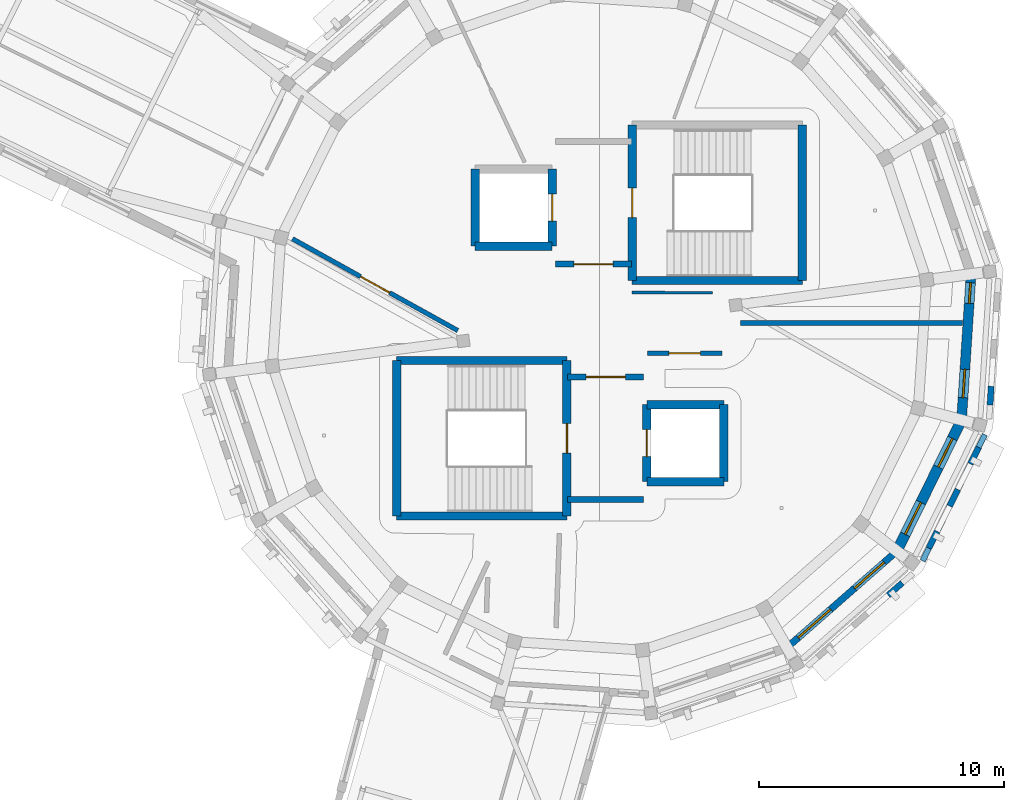
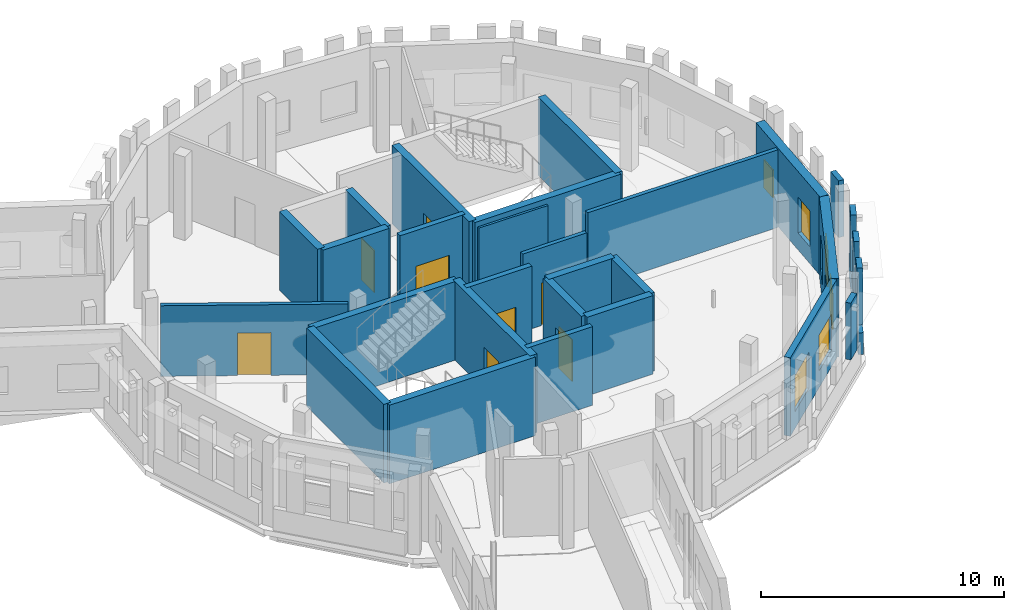
# One storey, part 69 of 90: 30 walls, 8 doors, 6 windows, 14 openings.
"""IFC4 building model written with IfcOpenShell, lengths in metres."""

from ifc_helpers import new_model, si_unit, direction, frame, frame_2d, origin, place, context, subcontext, project, spatial, rectangle, extrude, material, layer, layer_set, type_object, element, fill, save


model = new_model("IFC4")

# Units and contexts
model_context = context("Model", 3, precision=1e-05, world=origin(), true_north=direction((0.0, 1.0)))
body_context = subcontext(model_context, "Body", "Model", "MODEL_VIEW")
ifc_project = project(units=[si_unit("LENGTHUNIT", "METRE"), si_unit("AREAUNIT", "SQUARE_METRE"), si_unit("VOLUMEUNIT", "CUBIC_METRE"), si_unit("PLANEANGLEUNIT", "RADIAN"), si_unit("MASSUNIT", "GRAM", prefix="KILO")], contexts=[model_context])

# Site, building, storey
site_placement = place(None, origin())
site = spatial("IfcSite", under=ifc_project, at=site_placement, CompositionType="ELEMENT")
building_placement = place(site_placement, origin())
building = spatial("IfcBuilding", under=site, at=building_placement, Name="Wrenclough Park School", CompositionType="ELEMENT")
storey_placement = place(building_placement, frame((0.0, 0.0, 8.39990234375)))
storey = spatial("IfcBuildingStorey", under=building, at=storey_placement, Name="L02", CompositionType="ELEMENT", Elevation=8.39990234375)

# Walls
ifc_material_1 = material(Name="Perforated open-bond Staffordshire and Manchester brick screen pier", Category="masonry")
ifc_layer_1 = layer(ifc_material_1, 0.2451171875)
ifc_layer_set_1 = layer_set([ifc_layer_1], Name="Perforated open-bond Staffordshire and Manchester brick screen pier")
wall_type_1 = type_object("IfcWallType", Name="ENV-BS-PR245", PredefinedType="ELEMENTEDWALL", material=ifc_layer_set_1)
wall_1_placement = place(storey_placement, frame((186.2666015625, 82.403564453125, 1.090087890625), z_axis=(0.0, 0.0, 1.0), x_axis=(0.751840109951, 0.659345470196, 0.0)))
element("IfcWall", 1, at=wall_1_placement, inside=storey, type_object=wall_type_1, Name="D5 L02 perforated brick screen pier 0616", PredefinedType="ELEMENTEDWALL", context=body_context, shape_type="SweptSolid", body=[
    extrude(rectangle(XDim=0.76025390625, YDim=0.2451171875, at=frame_2d((0.380126953125, 0.0))), origin(), (0.0, 0.0, 1.0), 2.85009765625),
])
for number, where, z_axis, x_axis, name in (
    (2, (187.92724609375, 84.32373046875, 1.090087890625), (0.0, 0.0, 1.0), (0.442324339485, 0.896855160379, 0.0), "D5 L02 perforated brick screen pier 0617"),
    (3, (188.7724609375, 86.03759765625, 1.090087890625), (0.0, 0.0, 1.0), (0.442324339485, 0.896855160379, 0.0), "D5 L02 perforated brick screen pier 0618"),
    (4, (189.61767578125, 87.75146484375, 1.090087890625), (0.0, 0.0, 1.0), (0.442324339485, 0.896855160379, 0.0), "D5 L02 perforated brick screen pier 0619"),
    (5, (190.416748046875, 90.1611328125, 1.090087890625), (0.0, 0.0, 1.0), (0.065538124105, 0.997850066036, 0.0), "D5 L02 perforated brick screen pier 0620"),
):
    element("IfcWall", number, at=place(storey_placement, frame(where, z_axis=z_axis, x_axis=x_axis)), inside=storey, type_object=wall_type_1, Name=name, PredefinedType="ELEMENTEDWALL", context=body_context, shape_type="SweptSolid", body=[
        extrude(rectangle(XDim=0.760009765625, YDim=0.2451171875, at=frame_2d((0.3798828125, 0.0))), origin(), (0.0, 0.0, 1.0), 2.85009765625),
    ])
ifc_material_2 = material(Name="Open-bond Manchester multi-stock brick spandrel screen", Category="masonry")
ifc_layer_2 = layer(ifc_material_2, 0.22509765625)
ifc_layer_set_2 = layer_set([ifc_layer_2], Name="Open-bond Manchester multi-stock brick spandrel screen")
wall_type_2 = type_object("IfcWallType", Name="ENV-BS-SP225", PredefinedType="ELEMENTEDWALL", material=ifc_layer_set_2)
wall_2_placement = place(storey_placement, frame((187.672607421875, 83.8076171875, 0.0), z_axis=(0.0, 0.0, 1.0), x_axis=(0.442300930644, 0.896866705119, 0.0)))
element("IfcWall", 6, at=wall_2_placement, inside=storey, type_object=wall_type_2, Name="D5 L02 open-bond brick screen spandrel 0171", PredefinedType="ELEMENTEDWALL", context=body_context, shape_type="SweptSolid", body=[
    extrude(rectangle(XDim=5.73291015625, YDim=0.22509765625, at=frame_2d((2.866455078125, 0.0))), origin(), (0.0, 0.0, 1.0), 1.090087890625),
])

# Wall, openings, windows
ifc_material_3 = material(Name="Link wing brick-faced cavity wall Concrete C32/40", Category="masonry")
ifc_layer_3 = layer(ifc_material_3, 0.27490234375)
ifc_layer_set_3 = layer_set([ifc_layer_3], Name="Link wing brick-faced cavity wall Concrete C32/40")
wall_type_3 = type_object("IfcWallType", Name="ENV-EW-275", PredefinedType="SOLIDWALL", material=ifc_layer_set_3)
wall_3_placement = place(storey_placement, frame((186.62060546875, 84.199462890625, 0.0), z_axis=(0.0, 0.0, 1.0), x_axis=(-0.751832842143, -0.659353757459, 0.0)))
wall_3 = element("IfcWall", 7, at=wall_3_placement, inside=storey, type_object=wall_type_3, Name="L02 insulated brick external wall 0190", PredefinedType="SOLIDWALL", context=body_context, shape_type="SweptSolid", body=[
    extrude(rectangle(XDim=5.9609375, YDim=0.27490234375, at=frame_2d((2.98046875, 0.0))), origin(), (0.0, 0.0, 1.0), 3.940185546875),
])
opening_1_placement = place(wall_3_placement, frame((0.690185546875, 0.0, 0.85009765625)))
opening_1 = element("IfcOpeningElement", 8, at=opening_1_placement, cuts=wall_3, Name="Opening WN-29", PredefinedType="OPENING", context=body_context, shape_type="SweptSolid", body=[
    extrude(rectangle(XDim=1.60009765625, YDim=1.800048828125, at=frame_2d((0.800048828125, 0.89990234375))), frame((0.0, 0.1474609375, 0.0), z_axis=(0.0, -1.0, 0.0), x_axis=(1.0, 0.0, 0.0)), (0.0, 0.0, 1.0), 0.294921875),
])
opening_2_placement = place(wall_3_placement, frame((3.595703125, 0.0, 0.85009765625)))
opening_2 = element("IfcOpeningElement", 9, at=opening_2_placement, cuts=wall_3, Name="Opening WN-30", PredefinedType="OPENING", context=body_context, shape_type="SweptSolid", body=[
    extrude(rectangle(XDim=1.75, YDim=1.800048828125, at=frame_2d((0.875, 0.89990234375))), frame((0.0, 0.1474609375, 0.0), z_axis=(0.0, -1.0, 0.0), x_axis=(1.0, 0.0, 0.0)), (0.0, 0.0, 1.0), 0.294921875),
])
ifc_material_4 = material(Name="Thermally broken aluminium and double-glazed low-e glass", Category="aluminium")
window_type_1 = type_object("IfcWindowType", Name="ENV-WN-29", PartitioningType="DOUBLE_PANEL_VERTICAL", PredefinedType="WINDOW", material=ifc_material_4)
window_1_placement = place(opening_1_placement, origin())
window_1 = element("IfcWindow", 10, at=window_1_placement, inside=storey, type_object=window_type_1, Name="L02 scheduled facade window 0308", OverallHeight=1.800048828125, OverallWidth=1.60009765625, PartitioningType="SINGLE_PANEL", PredefinedType="WINDOW", context=body_context, shape_type="SweptSolid", body=[
    extrude(rectangle(XDim=1.60009765625, YDim=1.800048828125, at=frame_2d((0.800048828125, 0.89990234375))), frame((0.0, 0.030029296875, 0.0), z_axis=(0.0, -1.0, 0.0), x_axis=(1.0, 0.0, 0.0)), (0.0, 0.0, 1.0), 0.06005859375),
])
fill(opening_1, window_1)
window_type_2 = type_object("IfcWindowType", Name="ENV-WN-30", PartitioningType="DOUBLE_PANEL_VERTICAL", PredefinedType="WINDOW", material=ifc_material_4)
window_2_placement = place(opening_2_placement, origin())
window_2 = element("IfcWindow", 11, at=window_2_placement, inside=storey, type_object=window_type_2, Name="L02 scheduled facade window 0309", OverallHeight=1.800048828125, OverallWidth=1.75, PartitioningType="SINGLE_PANEL", PredefinedType="WINDOW", context=body_context, shape_type="SweptSolid", body=[
    extrude(rectangle(XDim=1.75, YDim=1.800048828125, at=frame_2d((0.875, 0.89990234375))), frame((0.0, 0.030029296875, 0.0), z_axis=(0.0, -1.0, 0.0), x_axis=(1.0, 0.0, 0.0)), (0.0, 0.0, 1.0), 0.06005859375),
])
fill(opening_2, window_2)

ifc_material_5 = material(Name="Staffordshire blue-grey brick and Concrete C40/50 acoustic leaf", Category="masonry")
ifc_layer_4 = layer(ifc_material_5, 0.39990234375)
ifc_layer_set_4 = layer_set([ifc_layer_4], Name="Staffordshire blue-grey brick and Concrete C40/50 acoustic leaf")
wall_type_4 = type_object("IfcWallType", Name="ENV-EW-400", PredefinedType="SOLIDWALL", material=ifc_layer_set_4)
wall_4_placement = place(storey_placement, frame((189.64697265625, 95.494140625, 0.0), z_axis=(0.0, 0.0, 1.0), x_axis=(-0.065407169492, -0.997858658418, 0.0)))
wall_4 = element("IfcWall", 12, at=wall_4_placement, inside=storey, type_object=wall_type_4, Name="L02 insulated brick external wall 0188", PredefinedType="SOLIDWALL", context=body_context, shape_type="SweptSolid", body=[
    extrude(rectangle(XDim=5.9609375, YDim=0.39990234375, at=frame_2d((2.98046875, 0.0))), origin(), (0.0, 0.0, 1.0), 3.940185546875),
])
opening_3_placement = place(wall_4_placement, frame((0.35009765625, 0.0, 0.85009765625)))
opening_3 = element("IfcOpeningElement", 13, at=opening_3_placement, cuts=wall_4, Name="Opening WN-01", PredefinedType="OPENING", context=body_context, shape_type="SweptSolid", body=[
    extrude(rectangle(XDim=0.85009765625, YDim=1.39990234375, at=frame_2d((0.425048828125, 0.699951171875))), frame((0.0, 0.2099609375, 0.0), z_axis=(0.0, -1.0, 0.0), x_axis=(1.0, 0.0, 0.0)), (0.0, 0.0, 1.0), 0.419921875),
])
opening_4_placement = place(wall_4_placement, frame((3.895751953125, 0.0, 0.85009765625)))
opening_4 = element("IfcOpeningElement", 14, at=opening_4_placement, cuts=wall_4, Name="Opening WN-26", PredefinedType="OPENING", context=body_context, shape_type="SweptSolid", body=[
    extrude(rectangle(XDim=1.14990234375, YDim=1.800048828125, at=frame_2d((0.574951171875, 0.89990234375))), frame((0.0, 0.2099609375, 0.0), z_axis=(0.0, -1.0, 0.0), x_axis=(1.0, 0.0, 0.0)), (0.0, 0.0, 1.0), 0.419921875),
])
window_type_3 = type_object("IfcWindowType", Name="ENV-WN-01", PartitioningType="SINGLE_PANEL", PredefinedType="WINDOW", material=ifc_material_4)
window_3_placement = place(opening_3_placement, origin())
window_3 = element("IfcWindow", 15, at=window_3_placement, inside=storey, type_object=window_type_3, Name="L02 scheduled facade window 0304", OverallHeight=1.39990234375, OverallWidth=0.85009765625, PartitioningType="SINGLE_PANEL", PredefinedType="WINDOW", context=body_context, shape_type="SweptSolid", body=[
    extrude(rectangle(XDim=0.85009765625, YDim=1.39990234375, at=frame_2d((0.425048828125, 0.699951171875))), frame((0.0, 0.030029296875, 0.0), z_axis=(0.0, -1.0, 0.0), x_axis=(1.0, 0.0, 0.0)), (0.0, 0.0, 1.0), 0.06005859375),
])
fill(opening_3, window_3)
window_type_4 = type_object("IfcWindowType", Name="ENV-WN-26", PartitioningType="SINGLE_PANEL", PredefinedType="WINDOW", material=ifc_material_4)
window_4_placement = place(opening_4_placement, origin())
window_4 = element("IfcWindow", 16, at=window_4_placement, inside=storey, type_object=window_type_4, Name="L02 scheduled facade window 0305", OverallHeight=1.800048828125, OverallWidth=1.14990234375, PartitioningType="SINGLE_PANEL", PredefinedType="WINDOW", context=body_context, shape_type="SweptSolid", body=[
    extrude(rectangle(XDim=1.14990234375, YDim=1.800048828125, at=frame_2d((0.574951171875, 0.89990234375))), frame((0.0, 0.030029296875, 0.0), z_axis=(0.0, -1.0, 0.0), x_axis=(1.0, 0.0, 0.0)), (0.0, 0.0, 1.0), 0.06005859375),
])
fill(opening_4, window_4)

ifc_material_6 = material(Name="Insulated brick-clad sports hall wall Concrete C40/50", Category="masonry")
ifc_layer_5 = layer(ifc_material_6, 0.425048828125)
ifc_layer_set_5 = layer_set([ifc_layer_5], Name="Insulated brick-clad sports hall wall Concrete C40/50")
wall_type_5 = type_object("IfcWallType", Name="ENV-EW-425", PredefinedType="SOLIDWALL", material=ifc_layer_set_5)
wall_5_placement = place(storey_placement, frame((189.257080078125, 89.5458984375, 0.0), z_axis=(0.0, 0.0, 1.0), x_axis=(-0.442275786664, -0.896879104746, 0.0)))
wall_5 = element("IfcWall", 17, at=wall_5_placement, inside=storey, type_object=wall_type_5, Name="L02 insulated brick external wall 0189", PredefinedType="SOLIDWALL", context=body_context, shape_type="SweptSolid", body=[
    extrude(rectangle(XDim=5.961181640625, YDim=0.425048828125, at=frame_2d((2.98046875, 0.0))), origin(), (0.0, 0.0, 1.0), 3.940185546875),
])
opening_5_placement = place(wall_5_placement, frame((0.84033203125, 0.0, 0.85009765625)))
opening_5 = element("IfcOpeningElement", 18, at=opening_5_placement, cuts=wall_5, Name="Opening WN-27", PredefinedType="OPENING", context=body_context, shape_type="SweptSolid", body=[
    extrude(rectangle(XDim=1.300048828125, YDim=1.800048828125, at=frame_2d((0.64990234375, 0.89990234375))), frame((0.0, 0.222412109375, 0.0), z_axis=(0.0, -1.0, 0.0), x_axis=(1.0, 0.0, 0.0)), (0.0, 0.0, 1.0), 0.445068359375),
])
opening_6_placement = place(wall_5_placement, frame((3.745849609375, 0.0, 0.85009765625)))
opening_6 = element("IfcOpeningElement", 19, at=opening_6_placement, cuts=wall_5, Name="Opening WN-28", PredefinedType="OPENING", context=body_context, shape_type="SweptSolid", body=[
    extrude(rectangle(XDim=1.449951171875, YDim=1.800048828125, at=frame_2d((0.72509765625, 0.89990234375))), frame((0.0, 0.222412109375, 0.0), z_axis=(0.0, -1.0, 0.0), x_axis=(1.0, 0.0, 0.0)), (0.0, 0.0, 1.0), 0.445068359375),
])
window_type_5 = type_object("IfcWindowType", Name="ENV-WN-27", PartitioningType="SINGLE_PANEL", PredefinedType="WINDOW", material=ifc_material_4)
window_5_placement = place(opening_5_placement, origin())
window_5 = element("IfcWindow", 20, at=window_5_placement, inside=storey, type_object=window_type_5, Name="L02 scheduled facade window 0306", OverallHeight=1.800048828125, OverallWidth=1.300048828125, PartitioningType="SINGLE_PANEL", PredefinedType="WINDOW", context=body_context, shape_type="SweptSolid", body=[
    extrude(rectangle(XDim=1.300048828125, YDim=1.800048828125, at=frame_2d((0.64990234375, 0.89990234375))), frame((0.0, 0.030029296875, 0.0), z_axis=(0.0, -1.0, 0.0), x_axis=(1.0, 0.0, 0.0)), (0.0, 0.0, 1.0), 0.06005859375),
])
fill(opening_5, window_5)
window_type_6 = type_object("IfcWindowType", Name="ENV-WN-28", PartitioningType="SINGLE_PANEL", PredefinedType="WINDOW", material=ifc_material_4)
window_6_placement = place(opening_6_placement, origin())
window_6 = element("IfcWindow", 21, at=window_6_placement, inside=storey, type_object=window_type_6, Name="L02 scheduled facade window 0307", OverallHeight=1.800048828125, OverallWidth=1.449951171875, PartitioningType="SINGLE_PANEL", PredefinedType="WINDOW", context=body_context, shape_type="SweptSolid", body=[
    extrude(rectangle(XDim=1.449951171875, YDim=1.800048828125, at=frame_2d((0.72509765625, 0.89990234375))), frame((0.0, 0.030029296875, 0.0), z_axis=(0.0, -1.0, 0.0), x_axis=(1.0, 0.0, 0.0)), (0.0, 0.0, 1.0), 0.06005859375),
])
fill(opening_6, window_6)

# Wall
ifc_material_7 = material(Name="Concrete C35/45", Category="concrete")
ifc_layer_6 = layer(ifc_material_7, 0.25)
ifc_layer_set_6 = layer_set([ifc_layer_6], Name="Concrete C35/45")
wall_type_6 = type_object("IfcWallType", Name="INT-CW-250", PredefinedType="SHEAR", material=ifc_layer_set_6)
wall_6_placement = place(storey_placement, frame((173.199951171875, 86.300048828125, 0.0), z_axis=(0.0, 0.0, 1.0), x_axis=(1.0, 0.0, 0.0)))
element("IfcWall", 22, at=wall_6_placement, inside=storey, type_object=wall_type_6, Name="Core C5 L02 lobby fire wall south", PredefinedType="SHEAR", context=body_context, shape_type="SweptSolid", body=[
    extrude(rectangle(XDim=3.10009765625, YDim=0.25, at=frame_2d((1.550048828125, 0.0))), origin(), (0.0, 0.0, 1.0), 3.9501953125),
])

# Wall, opening, door
wall_7_placement = place(storey_placement, frame((176.300048828125, 91.300048828125, 0.0), z_axis=(0.0, 0.0, 1.0), x_axis=(-1.0, 0.0, 0.0)))
wall_7 = element("IfcWall", 23, at=wall_7_placement, inside=storey, type_object=wall_type_6, Name="Core C5 L02 lobby fire wall north", PredefinedType="SHEAR", context=body_context, shape_type="SweptSolid", body=[
    extrude(rectangle(XDim=3.10009765625, YDim=0.25, at=frame_2d((1.550048828125, 0.0))), origin(), (0.0, 0.0, 1.0), 3.9501953125),
])
opening_7_placement = place(wall_7_placement, frame((0.75, 0.0, 0.0)))
opening_7 = element("IfcOpeningElement", 24, at=opening_7_placement, cuts=wall_7, Name="Opening DLB-C5-L02", PredefinedType="OPENING", context=body_context, shape_type="SweptSolid", body=[
    extrude(rectangle(XDim=1.60009765625, YDim=2.14990234375, at=frame_2d((0.800048828125, 1.074951171875))), frame((0.0, 0.135009765625, 0.0), z_axis=(0.0, -1.0, 0.0), x_axis=(1.0, 0.0, 0.0)), (0.0, 0.0, 1.0), 0.27001953125),
])
ifc_material_8 = material(Name="Double-leaf firefighting lobby door assembly", Category="wood")
door_type_1 = type_object("IfcDoorType", Name="INT-DR-FF160", OperationType="NOTDEFINED", PredefinedType="DOOR", material=ifc_material_8)
door_1_placement = place(opening_7_placement, origin())
door_1 = element("IfcDoor", 25, at=door_1_placement, inside=storey, type_object=door_type_1, Name="Core C5 L02 protected lobby fire door", OperationType="DOUBLE_DOOR_SINGLE_SWING", OverallHeight=2.14990234375, OverallWidth=1.60009765625, PredefinedType="DOOR", context=body_context, shape_type="SweptSolid", body=[
    extrude(rectangle(XDim=1.60009765625, YDim=2.14990234375, at=frame_2d((0.800048828125, 1.074951171875))), frame((0.0, 0.02490234375, 0.0), z_axis=(0.0, -1.0, 0.0), x_axis=(1.0, 0.0, 0.0)), (0.0, 0.0, 1.0), 0.050048828125),
])
fill(opening_7, door_1)

wall_8_placement = place(storey_placement, frame((172.699951171875, 95.89990234375, 0.0), z_axis=(0.0, 0.0, 1.0), x_axis=(1.0, 0.0, 0.0)))
wall_8 = element("IfcWall", 26, at=wall_8_placement, inside=storey, type_object=wall_type_6, Name="Core C6 L02 lobby fire wall south", PredefinedType="SHEAR", context=body_context, shape_type="SweptSolid", body=[
    extrude(rectangle(XDim=3.10009765625, YDim=0.25, at=frame_2d((1.550048828125, 0.0))), origin(), (0.0, 0.0, 1.0), 3.9501953125),
])
opening_8_placement = place(wall_8_placement, frame((0.75, 0.0, 0.0)))
opening_8 = element("IfcOpeningElement", 27, at=opening_8_placement, cuts=wall_8, Name="Opening DLB-C6-L02", PredefinedType="OPENING", context=body_context, shape_type="SweptSolid", body=[
    extrude(rectangle(XDim=1.60009765625, YDim=2.14990234375, at=frame_2d((0.800048828125, 1.074951171875))), frame((0.0, 0.135009765625, 0.0), z_axis=(0.0, -1.0, 0.0), x_axis=(1.0, 0.0, 0.0)), (0.0, 0.0, 1.0), 0.27001953125),
])
door_2_placement = place(opening_8_placement, origin())
door_2 = element("IfcDoor", 28, at=door_2_placement, inside=storey, type_object=door_type_1, Name="Core C6 L02 protected lobby fire door", OperationType="DOUBLE_DOOR_SINGLE_SWING", OverallHeight=2.14990234375, OverallWidth=1.60009765625, PredefinedType="DOOR", context=body_context, shape_type="SweptSolid", body=[
    extrude(rectangle(XDim=1.60009765625, YDim=2.14990234375, at=frame_2d((0.800048828125, 1.074951171875))), frame((0.0, 0.02490234375, 0.0), z_axis=(0.0, -1.0, 0.0), x_axis=(1.0, 0.0, 0.0)), (0.0, 0.0, 1.0), 0.050048828125),
])
fill(opening_8, door_2)

# Wall
ifc_material_9 = material(Name="Concrete C40/50", Category="concrete")
ifc_layer_7 = layer(ifc_material_9, 0.340087890625)
ifc_layer_set_7 = layer_set([ifc_layer_7], Name="Concrete C40/50")
wall_type_7 = type_object("IfcWallType", Name="INT-CW-340", PredefinedType="SHEAR", material=ifc_layer_set_7)
wall_9_placement = place(storey_placement, frame((166.22998046875, 85.6298828125, 0.0), z_axis=(0.0, 0.0, 1.0), x_axis=(1.0, 0.0, 0.0)))
element("IfcWall", 29, at=wall_9_placement, inside=storey, type_object=wall_type_7, Name="Core C5 L02 south shear wall", PredefinedType="SHEAR", context=body_context, shape_type="SweptSolid", body=[
    extrude(rectangle(XDim=6.93994140625, YDim=0.340087890625, at=frame_2d((3.469970703125, 0.0))), origin(), (0.0, 0.0, 1.0), 3.9501953125),
])

# Wall, opening, door
wall_10_placement = place(storey_placement, frame((173.169921875, 85.6298828125, 0.0), z_axis=(0.0, 0.0, 1.0), x_axis=(0.0, 1.0, 0.0)))
wall_10 = element("IfcWall", 30, at=wall_10_placement, inside=storey, type_object=wall_type_7, Name="Core C5 L02 east shear wall", PredefinedType="SHEAR", context=body_context, shape_type="SweptSolid", body=[
    extrude(rectangle(XDim=6.340087890625, YDim=0.340087890625, at=frame_2d((3.169921875, 0.0))), origin(), (0.0, 0.0, 1.0), 3.9501953125),
])
opening_9_placement = place(wall_10_placement, frame((2.570068359375, 0.0, 0.0)))
opening_9 = element("IfcOpeningElement", 31, at=opening_9_placement, cuts=wall_10, Name="Opening DST-C5-L02", PredefinedType="OPENING", context=body_context, shape_type="SweptSolid", body=[
    extrude(rectangle(XDim=1.199951171875, YDim=2.10009765625, at=frame_2d((0.60009765625, 1.050048828125))), frame((0.0, 0.179931640625, 0.0), z_axis=(0.0, -1.0, 0.0), x_axis=(1.0, 0.0, 0.0)), (0.0, 0.0, 1.0), 0.360107421875),
])
ifc_material_10 = material(Name="Solid-core hardwood firefighting stair door assembly", Category="wood")
door_type_2 = type_object("IfcDoorType", Name="INT-DR-FF120", OperationType="NOTDEFINED", PredefinedType="DOOR", material=ifc_material_10)
door_3_placement = place(opening_9_placement, origin())
door_3 = element("IfcDoor", 32, at=door_3_placement, inside=storey, type_object=door_type_2, Name="Stair ST-05 L02 fire door", OperationType="SINGLE_SWING_LEFT", OverallHeight=2.10009765625, OverallWidth=1.199951171875, PredefinedType="DOOR", context=body_context, shape_type="SweptSolid", body=[
    extrude(rectangle(XDim=1.199951171875, YDim=2.10009765625, at=frame_2d((0.60009765625, 1.050048828125))), frame((0.0, 0.02490234375, 0.0), z_axis=(0.0, -1.0, 0.0), x_axis=(1.0, 0.0, 0.0)), (0.0, 0.0, 1.0), 0.050048828125),
])
fill(opening_9, door_3)

# Walls
wall_11_placement = place(storey_placement, frame((173.169921875, 91.969970703125, 0.0), z_axis=(0.0, 0.0, 1.0), x_axis=(-1.0, 0.0, 0.0)))
element("IfcWall", 33, at=wall_11_placement, inside=storey, type_object=wall_type_7, Name="Core C5 L02 north shear wall", PredefinedType="SHEAR", context=body_context, shape_type="SweptSolid", body=[
    extrude(rectangle(XDim=6.93994140625, YDim=0.340087890625, at=frame_2d((3.469970703125, 0.0))), origin(), (0.0, 0.0, 1.0), 3.9501953125),
])
wall_12_placement = place(storey_placement, frame((166.22998046875, 91.969970703125, 0.0), z_axis=(0.0, 0.0, 1.0), x_axis=(0.0, -1.0, 0.0)))
element("IfcWall", 34, at=wall_12_placement, inside=storey, type_object=wall_type_7, Name="Core C5 L02 west shear wall", PredefinedType="SHEAR", context=body_context, shape_type="SweptSolid", body=[
    extrude(rectangle(XDim=6.340087890625, YDim=0.340087890625, at=frame_2d((3.169921875, 0.0))), origin(), (0.0, 0.0, 1.0), 3.9501953125),
])
wall_13_placement = place(storey_placement, frame((176.429931640625, 87.030029296875, 0.0), z_axis=(0.0, 0.0, 1.0), x_axis=(1.0, 0.0, 0.0)))
element("IfcWall", 35, at=wall_13_placement, inside=storey, type_object=wall_type_7, Name="Lift LFT-01 L02 south shaft wall", PredefinedType="SHEAR", context=body_context, shape_type="SweptSolid", body=[
    extrude(rectangle(XDim=3.14013671875, YDim=0.340087890625, at=frame_2d((1.570068359375, 0.0))), origin(), (0.0, 0.0, 1.0), 3.9501953125),
])
wall_14_placement = place(storey_placement, frame((179.570068359375, 87.030029296875, 0.0), z_axis=(0.0, 0.0, 1.0), x_axis=(0.0, 1.0, 0.0)))
element("IfcWall", 36, at=wall_14_placement, inside=storey, type_object=wall_type_7, Name="Lift LFT-01 L02 east shaft wall", PredefinedType="SHEAR", context=body_context, shape_type="SweptSolid", body=[
    extrude(rectangle(XDim=3.139892578125, YDim=0.340087890625, at=frame_2d((1.56982421875, 0.0))), origin(), (0.0, 0.0, 1.0), 3.9501953125),
])
wall_15_placement = place(storey_placement, frame((179.570068359375, 90.169921875, 0.0), z_axis=(0.0, 0.0, 1.0), x_axis=(-1.0, 0.0, 0.0)))
element("IfcWall", 37, at=wall_15_placement, inside=storey, type_object=wall_type_7, Name="Lift LFT-01 L02 north shaft wall", PredefinedType="SHEAR", context=body_context, shape_type="SweptSolid", body=[
    extrude(rectangle(XDim=3.14013671875, YDim=0.340087890625, at=frame_2d((1.570068359375, 0.0))), origin(), (0.0, 0.0, 1.0), 3.9501953125),
])

# Wall, opening, door
wall_16_placement = place(storey_placement, frame((176.429931640625, 90.169921875, 0.0), z_axis=(0.0, 0.0, 1.0), x_axis=(0.0, -1.0, 0.0)))
wall_16 = element("IfcWall", 38, at=wall_16_placement, inside=storey, type_object=wall_type_7, Name="Lift LFT-01 L02 west shaft wall", PredefinedType="SHEAR", context=body_context, shape_type="SweptSolid", body=[
    extrude(rectangle(XDim=3.139892578125, YDim=0.340087890625, at=frame_2d((1.56982421875, 0.0))), origin(), (0.0, 0.0, 1.0), 3.9501953125),
])
opening_10_placement = place(wall_16_placement, frame((1.02001953125, 0.0, 0.0)))
opening_10 = element("IfcOpeningElement", 39, at=opening_10_placement, cuts=wall_16, Name="Opening LD-01-L02", PredefinedType="OPENING", context=body_context, shape_type="SweptSolid", body=[
    extrude(rectangle(XDim=1.10009765625, YDim=2.10009765625, at=frame_2d((0.550048828125, 1.050048828125))), frame((0.0, 0.179931640625, 0.0), z_axis=(0.0, -1.0, 0.0), x_axis=(1.0, 0.0, 0.0)), (0.0, 0.0, 1.0), 0.360107421875),
])
ifc_material_11 = material(Name="Brushed stainless steel", Category="steel")
door_type_3 = type_object("IfcDoorType", Name="INT-DR-LD110", OperationType="NOTDEFINED", PredefinedType="DOOR", material=ifc_material_11)
door_4_placement = place(opening_10_placement, frame((1.10009765625, 0.0, 0.0), z_axis=(0.0, 0.0, 1.0), x_axis=(-1.0, 0.0, 0.0)))
door_4 = element("IfcDoor", 40, at=door_4_placement, inside=storey, type_object=door_type_3, Name="Lift LFT-01 L02 sliding landing door", OperationType="DOUBLE_DOOR_SLIDING", OverallHeight=2.10009765625, OverallWidth=1.10009765625, PredefinedType="DOOR", context=body_context, shape_type="SweptSolid", body=[
    extrude(rectangle(XDim=1.10009765625, YDim=2.10009765625, at=frame_2d((0.550048828125, 1.050048828125))), frame((0.0, 0.02490234375, 0.0), z_axis=(0.0, -1.0, 0.0), x_axis=(1.0, 0.0, 0.0)), (0.0, 0.0, 1.0), 0.050048828125),
])
fill(opening_10, door_4)

# Walls
wall_17_placement = place(storey_placement, frame((175.830078125, 95.22998046875, 0.0), z_axis=(0.0, 0.0, 1.0), x_axis=(1.0, 0.0, 0.0)))
element("IfcWall", 41, at=wall_17_placement, inside=storey, type_object=wall_type_7, Name="Core C6 L02 south shear wall", PredefinedType="SHEAR", context=body_context, shape_type="SweptSolid", body=[
    extrude(rectangle(XDim=6.93994140625, YDim=0.340087890625, at=frame_2d((3.469970703125, 0.0))), origin(), (0.0, 0.0, 1.0), 3.9501953125),
])
wall_18_placement = place(storey_placement, frame((182.77001953125, 95.22998046875, 0.0), z_axis=(0.0, 0.0, 1.0), x_axis=(0.0, 1.0, 0.0)))
element("IfcWall", 42, at=wall_18_placement, inside=storey, type_object=wall_type_7, Name="Core C6 L02 east shear wall", PredefinedType="SHEAR", context=body_context, shape_type="SweptSolid", body=[
    extrude(rectangle(XDim=6.340087890625, YDim=0.340087890625, at=frame_2d((3.169921875, 0.0))), origin(), (0.0, 0.0, 1.0), 3.9501953125),
])

# Wall, opening, door
wall_19_placement = place(storey_placement, frame((175.830078125, 101.570068359375, 0.0), z_axis=(0.0, 0.0, 1.0), x_axis=(0.0, -1.0, 0.0)))
wall_19 = element("IfcWall", 43, at=wall_19_placement, inside=storey, type_object=wall_type_7, Name="Core C6 L02 west shear wall", PredefinedType="SHEAR", context=body_context, shape_type="SweptSolid", body=[
    extrude(rectangle(XDim=6.340087890625, YDim=0.340087890625, at=frame_2d((3.169921875, 0.0))), origin(), (0.0, 0.0, 1.0), 3.9501953125),
])
opening_11_placement = place(wall_19_placement, frame((2.570068359375, 0.0, 0.0)))
opening_11 = element("IfcOpeningElement", 44, at=opening_11_placement, cuts=wall_19, Name="Opening DST-C6-L02", PredefinedType="OPENING", context=body_context, shape_type="SweptSolid", body=[
    extrude(rectangle(XDim=1.199951171875, YDim=2.10009765625, at=frame_2d((0.60009765625, 1.050048828125))), frame((0.0, 0.179931640625, 0.0), z_axis=(0.0, -1.0, 0.0), x_axis=(1.0, 0.0, 0.0)), (0.0, 0.0, 1.0), 0.360107421875),
])
door_5_placement = place(opening_11_placement, origin())
door_5 = element("IfcDoor", 45, at=door_5_placement, inside=storey, type_object=door_type_2, Name="Stair ST-06 L02 fire door", OperationType="SINGLE_SWING_LEFT", OverallHeight=2.10009765625, OverallWidth=1.199951171875, PredefinedType="DOOR", context=body_context, shape_type="SweptSolid", body=[
    extrude(rectangle(XDim=1.199951171875, YDim=2.10009765625, at=frame_2d((0.60009765625, 1.050048828125))), frame((0.0, 0.02490234375, 0.0), z_axis=(0.0, -1.0, 0.0), x_axis=(1.0, 0.0, 0.0)), (0.0, 0.0, 1.0), 0.050048828125),
])
fill(opening_11, door_5)

# Wall
wall_20_placement = place(storey_placement, frame((169.429931640625, 96.6298828125, 0.0), z_axis=(0.0, 0.0, 1.0), x_axis=(1.0, 0.0, 0.0)))
element("IfcWall", 46, at=wall_20_placement, inside=storey, type_object=wall_type_7, Name="Lift LFT-02 L02 south shaft wall", PredefinedType="SHEAR", context=body_context, shape_type="SweptSolid", body=[
    extrude(rectangle(XDim=3.14013671875, YDim=0.340087890625, at=frame_2d((1.570068359375, 0.0))), origin(), (0.0, 0.0, 1.0), 3.9501953125),
])

# Wall, opening, door
wall_21_placement = place(storey_placement, frame((172.570068359375, 96.6298828125, 0.0), z_axis=(0.0, 0.0, 1.0), x_axis=(0.0, 1.0, 0.0)))
wall_21 = element("IfcWall", 47, at=wall_21_placement, inside=storey, type_object=wall_type_7, Name="Lift LFT-02 L02 east shaft wall", PredefinedType="SHEAR", context=body_context, shape_type="SweptSolid", body=[
    extrude(rectangle(XDim=3.14013671875, YDim=0.340087890625, at=frame_2d((1.570068359375, 0.0))), origin(), (0.0, 0.0, 1.0), 3.9501953125),
])
opening_12_placement = place(wall_21_placement, frame((1.02001953125, 0.0, 0.0)))
opening_12 = element("IfcOpeningElement", 48, at=opening_12_placement, cuts=wall_21, Name="Opening LD-02-L02", PredefinedType="OPENING", context=body_context, shape_type="SweptSolid", body=[
    extrude(rectangle(XDim=1.10009765625, YDim=2.10009765625, at=frame_2d((0.550048828125, 1.050048828125))), frame((0.0, 0.179931640625, 0.0), z_axis=(0.0, -1.0, 0.0), x_axis=(1.0, 0.0, 0.0)), (0.0, 0.0, 1.0), 0.360107421875),
])
door_6_placement = place(opening_12_placement, frame((1.10009765625, 0.0, 0.0), z_axis=(0.0, 0.0, 1.0), x_axis=(-1.0, 0.0, 0.0)))
door_6 = element("IfcDoor", 49, at=door_6_placement, inside=storey, type_object=door_type_3, Name="Lift LFT-02 L02 sliding landing door", OperationType="DOUBLE_DOOR_SLIDING", OverallHeight=2.10009765625, OverallWidth=1.10009765625, PredefinedType="DOOR", context=body_context, shape_type="SweptSolid", body=[
    extrude(rectangle(XDim=1.10009765625, YDim=2.10009765625, at=frame_2d((0.550048828125, 1.050048828125))), frame((0.0, 0.02490234375, 0.0), z_axis=(0.0, -1.0, 0.0), x_axis=(1.0, 0.0, 0.0)), (0.0, 0.0, 1.0), 0.050048828125),
])
fill(opening_12, door_6)

# Walls
wall_22_placement = place(storey_placement, frame((169.429931640625, 99.77001953125, 0.0), z_axis=(0.0, 0.0, 1.0), x_axis=(0.0, -1.0, 0.0)))
element("IfcWall", 50, at=wall_22_placement, inside=storey, type_object=wall_type_7, Name="Lift LFT-02 L02 west shaft wall", PredefinedType="SHEAR", context=body_context, shape_type="SweptSolid", body=[
    extrude(rectangle(XDim=3.14013671875, YDim=0.340087890625, at=frame_2d((1.570068359375, 0.0))), origin(), (0.0, 0.0, 1.0), 3.9501953125),
])
ifc_material_12 = material(Name="Lightweight fire-rated store partition", Category="gypsum")
ifc_layer_8 = layer(ifc_material_12, 0.110107421875)
ifc_layer_set_8 = layer_set([ifc_layer_8], Name="Lightweight fire-rated store partition")
wall_type_8 = type_object("IfcWallType", Name="INT-PW-110", PredefinedType="PARTITIONING", material=ifc_layer_set_8)
wall_23_placement = place(storey_placement, frame((175.81884765625, 94.74560546875, 0.0), z_axis=(0.0, 0.0, 1.0), x_axis=(0.999987908498, -0.004917606882, 0.0)))
element("IfcWall", 51, at=wall_23_placement, inside=storey, type_object=wall_type_8, Name="L02 internal partition 0399", PredefinedType="PARTITIONING", context=body_context, shape_type="SweptSolid", body=[
    extrude(rectangle(XDim=3.276611328125, YDim=0.110107421875, at=frame_2d((1.63818359375, 0.0))), origin(), (0.0, 0.0, 1.0), 3.900146484375),
])

# Wall, opening, door
ifc_material_13 = material(Name="Laboratory fire and acoustic partition", Category="gypsum")
ifc_layer_9 = layer(ifc_material_13, 0.18505859375)
ifc_layer_set_9 = layer_set([ifc_layer_9], Name="Laboratory fire and acoustic partition")
wall_type_9 = type_object("IfcWallType", Name="INT-PW-185", PredefinedType="PARTITIONING", material=ifc_layer_set_9)
wall_24_placement = place(storey_placement, frame((168.720947265625, 93.19140625, 0.0), z_axis=(0.0, 0.0, 1.0), x_axis=(-0.874267829938, 0.485443880933, 0.0)))
wall_24 = element("IfcWall", 52, at=wall_24_placement, inside=storey, type_object=wall_type_9, Name="L02 internal partition 0391", PredefinedType="PARTITIONING", context=body_context, shape_type="SweptSolid", body=[
    extrude(rectangle(XDim=7.706787109375, YDim=0.18505859375, at=frame_2d((3.853515625, 0.0))), origin(), (0.0, 0.0, 1.0), 3.547119140625),
])
opening_13_placement = place(wall_24_placement, frame((3.17333984375, 0.0, 0.0)))
opening_13 = element("IfcOpeningElement", 53, at=opening_13_placement, cuts=wall_24, Name="Opening DR-L02-076", PredefinedType="OPENING", context=body_context, shape_type="SweptSolid", body=[
    extrude(rectangle(XDim=1.360107421875, YDim=2.139892578125, at=frame_2d((0.68017578125, 1.06982421875))), frame((0.0, 0.1025390625, 0.0), z_axis=(0.0, -1.0, 0.0), x_axis=(1.0, 0.0, 0.0)), (0.0, 0.0, 1.0), 0.205078125),
])
ifc_material_14 = material(Name="Senior science laboratory leaf-and-a-half door assembly", Category="wood")
door_type_4 = type_object("IfcDoorType", Name="INT-DR-LAB136", OperationType="NOTDEFINED", PredefinedType="DOOR", material=ifc_material_14)
door_7_placement = place(opening_13_placement, origin())
door_7 = element("IfcDoor", 54, at=door_7_placement, inside=storey, type_object=door_type_4, Name="Senior Biology Science Laboratory door DR-L02-076", OperationType="SINGLE_SWING_LEFT", OverallHeight=2.139892578125, OverallWidth=1.360107421875, PredefinedType="DOOR", context=body_context, shape_type="SweptSolid", body=[
    extrude(rectangle(XDim=1.360107421875, YDim=2.139892578125, at=frame_2d((0.68017578125, 1.06982421875))), frame((0.0, 0.02490234375, 0.0), z_axis=(0.0, -1.0, 0.0), x_axis=(1.0, 0.0, 0.0)), (0.0, 0.0, 1.0), 0.050048828125),
])
fill(opening_13, door_7)

# Wall
wall_25_placement = place(storey_placement, frame((189.290771484375, 93.5, 0.0), z_axis=(0.0, 0.0, 1.0), x_axis=(-1.0, 0.0, 0.0)))
element("IfcWall", 55, at=wall_25_placement, inside=storey, type_object=wall_type_9, Name="L02 internal partition 0396", PredefinedType="PARTITIONING", context=body_context, shape_type="SweptSolid", body=[
    extrude(rectangle(XDim=9.045654296875, YDim=0.18505859375, at=frame_2d((4.52294921875, 0.0))), origin(), (0.0, 0.0, 1.0), 3.900146484375),
])

# Wall, opening, door
wall_26_placement = place(storey_placement, frame((179.4912109375, 92.2705078125, 0.0), z_axis=(0.0, 0.0, 1.0), x_axis=(-0.999993200613, -0.00368764528, 0.0)))
wall_26 = element("IfcWall", 56, at=wall_26_placement, inside=storey, type_object=wall_type_9, Name="L02 internal partition 0397", PredefinedType="PARTITIONING", context=body_context, shape_type="SweptSolid", body=[
    extrude(rectangle(XDim=3.04541015625, YDim=0.18505859375, at=frame_2d((1.522705078125, 0.0))), origin(), (0.0, 0.0, 1.0), 3.900146484375),
])
opening_14_placement = place(wall_26_placement, frame((0.8828125, 0.0, 0.0)))
opening_14 = element("IfcOpeningElement", 57, at=opening_14_placement, cuts=wall_26, Name="Opening DR-L02-077", PredefinedType="OPENING", context=body_context, shape_type="SweptSolid", body=[
    extrude(rectangle(XDim=1.280029296875, YDim=2.139892578125, at=frame_2d((0.64013671875, 1.06982421875))), frame((0.0, 0.1025390625, 0.0), z_axis=(0.0, -1.0, 0.0), x_axis=(1.0, 0.0, 0.0)), (0.0, 0.0, 1.0), 0.205078125),
])
ifc_material_15 = material(Name="Junior science laboratory leaf-and-a-half door assembly", Category="wood")
door_type_5 = type_object("IfcDoorType", Name="INT-DR-LAB128", OperationType="NOTDEFINED", PredefinedType="DOOR", material=ifc_material_15)
door_8_placement = place(opening_14_placement, origin())
door_8 = element("IfcDoor", 58, at=door_8_placement, inside=storey, type_object=door_type_5, Name="Biochemistry Science Laboratory door DR-L02-077", OperationType="SINGLE_SWING_RIGHT", OverallHeight=2.139892578125, OverallWidth=1.280029296875, PredefinedType="DOOR", context=body_context, shape_type="SweptSolid", body=[
    extrude(rectangle(XDim=1.280029296875, YDim=2.139892578125, at=frame_2d((0.64013671875, 1.06982421875))), frame((0.0, 0.02490234375, 0.0), z_axis=(0.0, -1.0, 0.0), x_axis=(1.0, 0.0, 0.0)), (0.0, 0.0, 1.0), 0.050048828125),
])
fill(opening_14, door_8)

save(model, "model.ifc")
